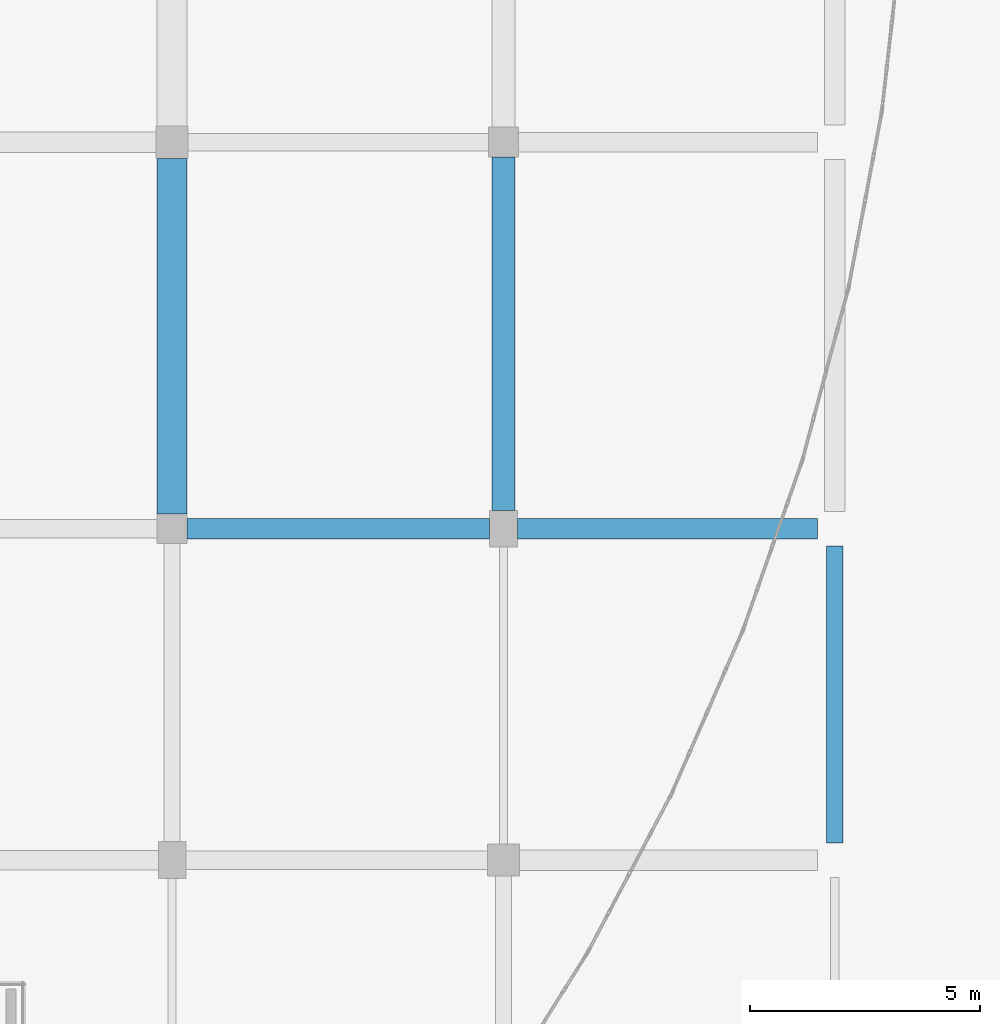
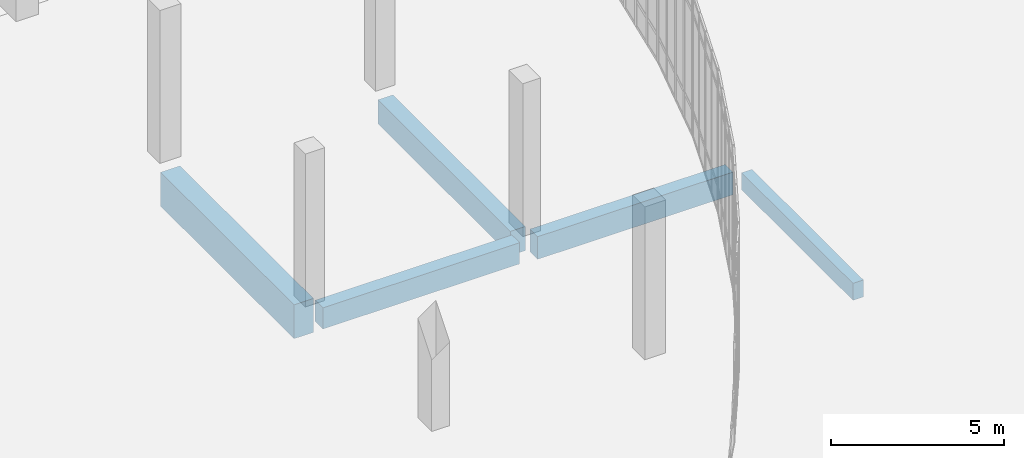
# One storey, part 46 of 110: 5 beams.
"""IFC4 building model written with IfcOpenShell, lengths in metres."""

from ifc_helpers import new_model, si_unit, direction, frame, origin, origin_2d, place, context, subcontext, project, spatial, rectangle, extrude, material, material_profile, profile_set, type_object, element, save


model = new_model("IFC4")

# Units and contexts
model_context = context("Model", 3, precision=1e-05, world=origin(), true_north=direction((0.0, 1.0)))
body_context = subcontext(model_context, "Body", "Model", "MODEL_VIEW")
ifc_project = project(units=[si_unit("LENGTHUNIT", "METRE"), si_unit("AREAUNIT", "SQUARE_METRE"), si_unit("VOLUMEUNIT", "CUBIC_METRE"), si_unit("PLANEANGLEUNIT", "RADIAN"), si_unit("MASSUNIT", "GRAM", prefix="KILO")], contexts=[model_context])

# Site, building, storey
site_placement = place(None, origin())
site = spatial("IfcSite", under=ifc_project, at=site_placement, CompositionType="ELEMENT")
building_placement = place(site_placement, origin())
building = spatial("IfcBuilding", under=site, at=building_placement, Name="Kalluvel Institute of Natural Sciences", CompositionType="ELEMENT")
storey_placement = place(building_placement, origin())
storey = spatial("IfcBuildingStorey", under=building, at=storey_placement, Name="L00", CompositionType="ELEMENT", Elevation=0.0)

# Beams
ifc_material_1 = material(Name="Concrete M40", Category="concrete")
ifc_material_profile_1 = material_profile(ifc_material_1, rectangle(XDim=0.35009765625, YDim=0.60009765625, at=origin_2d()), Name="RCB 350x600")
ifc_profile_set_1 = profile_set([ifc_material_profile_1], Name="Concrete M40")
beam_type_1 = type_object("IfcBeamType", Name="BM-RC350x600", PredefinedType="BEAM", material=ifc_profile_set_1)
beam_1_placement = place(storey_placement, frame((86.0, 79.175048828125, -0.6201171875), z_axis=(0.0, 1.0, 0.0), x_axis=(-1.0, 0.0, 0.0)))
element("IfcBeam", 1, at=beam_1_placement, inside=storey, type_object=beam_type_1, Name="L00 girder GIR-L00-NS-X860-Y788", PredefinedType="BEAM", context=body_context, shape_type="SweptSolid", body=[
    extrude(rectangle(XDim=0.35009765625, YDim=0.60009765625, at=origin_2d()), origin(), (0.0, 0.0, 1.0), 6.449951171875),
])
ifc_material_profile_2 = material_profile(ifc_material_1, rectangle(XDim=0.449951171875, YDim=0.75, at=origin_2d()), Name="RCB 450x750")
ifc_profile_set_2 = profile_set([ifc_material_profile_2], Name="Concrete M40")
beam_type_2 = type_object("IfcBeamType", Name="BM-RC450x750", PredefinedType="BEAM", material=ifc_profile_set_2)
beam_2_placement = place(storey_placement, frame((71.925048828125, 86.0, -0.695068359375), z_axis=(1.0, 0.0, 0.0), x_axis=(0.0, 1.0, 0.0)))
element("IfcBeam", 2, at=beam_2_placement, inside=storey, type_object=beam_type_2, Name="L00 girder GIR-L00-EW-X716-Y860", PredefinedType="BEAM", context=body_context, shape_type="SweptSolid", body=[
    extrude(rectangle(XDim=0.449951171875, YDim=0.75, at=origin_2d()), origin(), (0.0, 0.0, 1.0), 6.574951171875),
])
ifc_material_profile_3 = material_profile(ifc_material_1, rectangle(XDim=0.449951171875, YDim=0.800048828125, at=origin_2d()), Name="RCB 450x800")
ifc_profile_set_3 = profile_set([ifc_material_profile_3], Name="Concrete M40")
beam_type_3 = type_object("IfcBeamType", Name="BM-RC450x800", PredefinedType="BEAM", material=ifc_profile_set_3)
beam_3_placement = place(storey_placement, frame((79.10009765625, 86.0, -0.719970703125), z_axis=(1.0, 0.0, 0.0), x_axis=(0.0, 1.0, 0.0)))
element("IfcBeam", 3, at=beam_3_placement, inside=storey, type_object=beam_type_3, Name="L00 girder GIR-L00-EW-X788-Y860", PredefinedType="BEAM", context=body_context, shape_type="SweptSolid", body=[
    extrude(rectangle(XDim=0.449951171875, YDim=0.800048828125, at=origin_2d()), origin(), (0.0, 0.0, 1.0), 6.52490234375),
])
ifc_material_2 = material(Name="Concrete M50", Category="concrete")
ifc_material_profile_4 = material_profile(ifc_material_2, rectangle(XDim=0.5, YDim=0.85009765625, at=origin_2d()), Name="RCB 500x850")
ifc_profile_set_4 = profile_set([ifc_material_profile_4], Name="Concrete M50")
beam_type_4 = type_object("IfcBeamType", Name="BM-RC500x850", PredefinedType="BEAM", material=ifc_profile_set_4)
beam_4_placement = place(storey_placement, frame((78.800048828125, 86.39990234375, -0.7451171875), z_axis=(0.0, 1.0, 0.0), x_axis=(-1.0, 0.0, 0.0)))
element("IfcBeam", 4, at=beam_4_placement, inside=storey, type_object=beam_type_4, Name="L00 girder GIR-L00-NS-X788-Y860", PredefinedType="BEAM", context=body_context, shape_type="SweptSolid", body=[
    extrude(rectangle(XDim=0.5, YDim=0.85009765625, at=origin_2d()), origin(), (0.0, 0.0, 1.0), 7.675048828125),
])
ifc_material_profile_5 = material_profile(ifc_material_2, rectangle(XDim=0.64990234375, YDim=1.199951171875, at=origin_2d()), Name="RCB 650x1200")
ifc_profile_set_5 = profile_set([ifc_material_profile_5], Name="Concrete M50")
beam_type_5 = type_object("IfcBeamType", Name="BM-RC650x1200", PredefinedType="BEAM", material=ifc_profile_set_5)
beam_5_placement = place(storey_placement, frame((71.60009765625, 86.324951171875, -0.919921875), z_axis=(0.0, 1.0, 0.0), x_axis=(-1.0, 0.0, 0.0)))
element("IfcBeam", 5, at=beam_5_placement, inside=storey, type_object=beam_type_5, Name="L00 girder GIR-L00-NS-X716-Y860", PredefinedType="BEAM", context=body_context, shape_type="SweptSolid", body=[
    extrude(rectangle(XDim=0.64990234375, YDim=1.199951171875, at=origin_2d()), origin(), (0.0, 0.0, 1.0), 7.72509765625),
])

save(model, "model.ifc")
